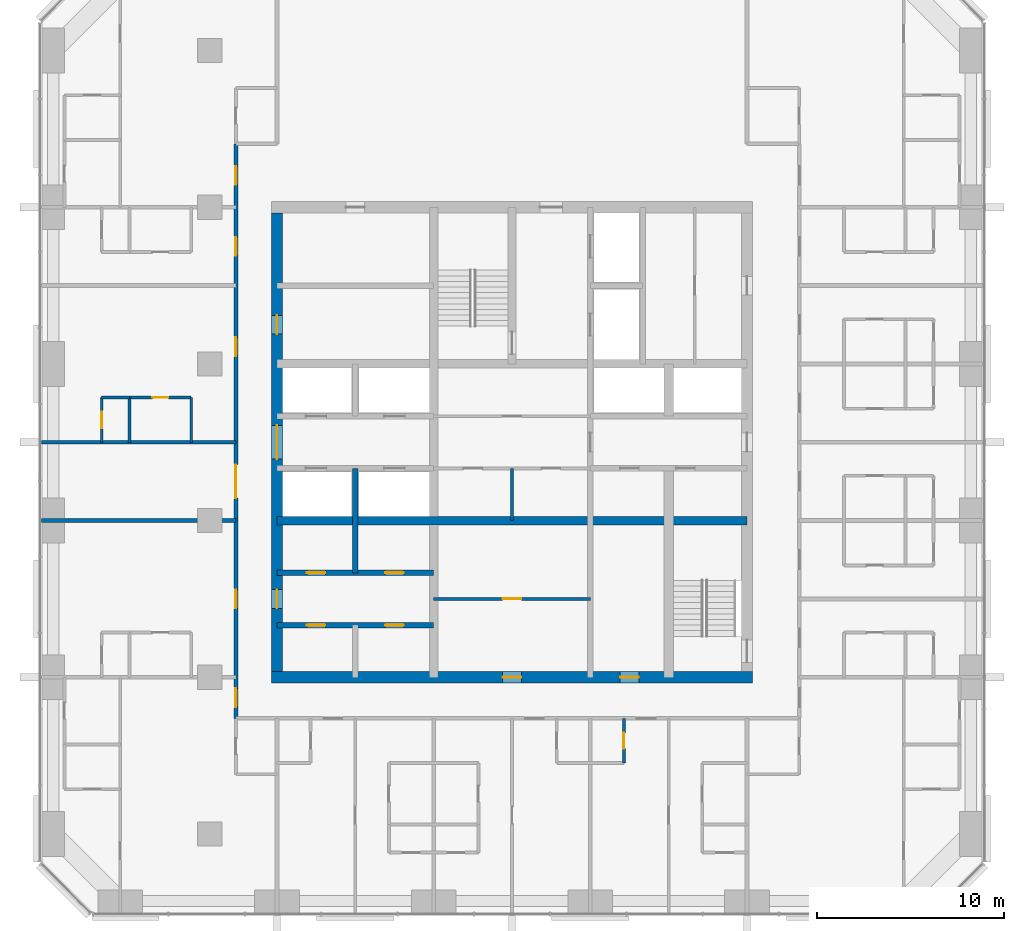
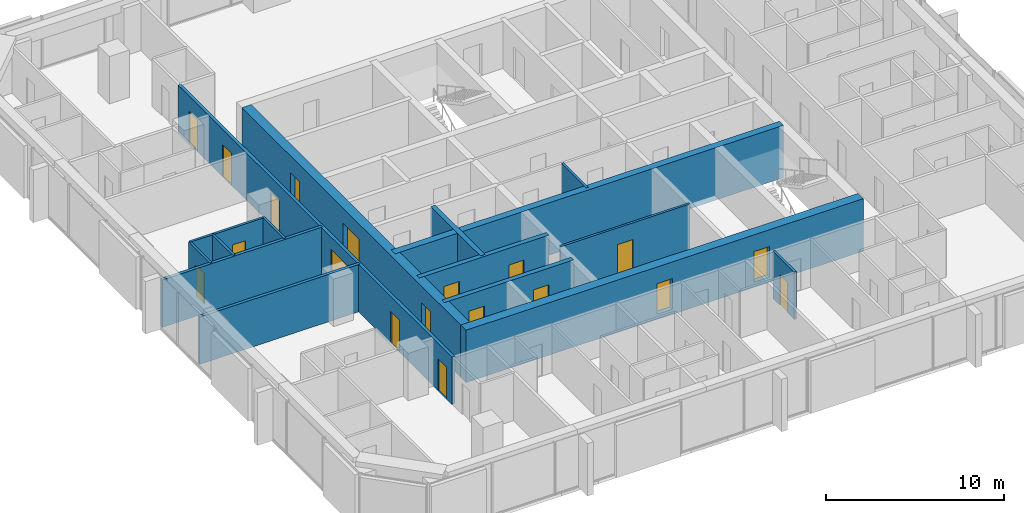
# One storey, part 9 of 14: 19 doors, 17 walls, 19 openings.
"""IFC4 building model written with IfcOpenShell, lengths in metres."""

from ifc_helpers import new_model, si_unit, direction, frame, frame_2d, origin, place, context, subcontext, project, spatial, rectangle, extrude, material, layer, layer_set, type_object, element, fill, save


model = new_model("IFC4")

# Units and contexts
model_context = context("Model", 3, precision=1e-05, world=origin(), true_north=direction((0.0, 1.0)))
body_context = subcontext(model_context, "Body", "Model", "MODEL_VIEW")
ifc_project = project(units=[si_unit("LENGTHUNIT", "METRE"), si_unit("AREAUNIT", "SQUARE_METRE"), si_unit("VOLUMEUNIT", "CUBIC_METRE"), si_unit("PLANEANGLEUNIT", "RADIAN"), si_unit("MASSUNIT", "GRAM", prefix="KILO")], contexts=[model_context])

# Site, building, storey
site_placement = place(None, origin())
site = spatial("IfcSite", under=ifc_project, at=site_placement, CompositionType="ELEMENT")
building_placement = place(site_placement, origin())
building = spatial("IfcBuilding", under=site, at=building_placement, Name="Dunama Terrace Hotel", CompositionType="ELEMENT")
storey_placement = place(building_placement, frame((0.0, 0.0, 184.199951171875)))
storey = spatial("IfcBuildingStorey", under=building, at=storey_placement, Name="L47", CompositionType="ELEMENT", Elevation=184.199951171875)

# Wall
ifc_material_1 = material(Name="Gypsum board partition", Category="masonry")
ifc_layer_1 = layer(ifc_material_1, 0.14990234375)
ifc_layer_set_1 = layer_set([ifc_layer_1], Name="Bathroom partition 150")
wall_type_1 = type_object("IfcWallType", Name="Bathroom partition 150", PredefinedType="PARTITIONING", material=ifc_layer_set_1)
wall_1_placement = place(storey_placement, frame((12.199951171875, 29.39990234375, 0.0), z_axis=(0.0, 0.0, 1.0), x_axis=(0.0, 1.0, 0.0)))
element("IfcWall", 1, at=wall_1_placement, inside=storey, type_object=wall_type_1, Name="Bathroom partition 150 L47", PredefinedType="PARTITIONING", context=body_context, shape_type="SweptSolid", body=[
    extrude(rectangle(XDim=2.400146484375, YDim=0.14990234375, at=frame_2d((1.2001953125, 0.0))), origin(), (0.0, 0.0, 1.0), 3.25),
])

# Wall, opening, door
wall_2_placement = place(storey_placement, frame((35.39990234375, 12.199951171875, 0.0), z_axis=(0.0, 0.0, 1.0), x_axis=(0.0, 1.0, 0.0)))
wall_2 = element("IfcWall", 2, at=wall_2_placement, inside=storey, type_object=wall_type_1, Name="Bathroom partition 150 L47", PredefinedType="PARTITIONING", context=body_context, shape_type="SweptSolid", body=[
    extrude(rectangle(XDim=2.400146484375, YDim=0.14990234375, at=frame_2d((1.2001953125, 0.0))), origin(), (0.0, 0.0, 1.0), 3.25),
])
opening_1_placement = place(wall_2_placement, frame((0.77490234375, 0.0, 0.0)))
opening_1 = element("IfcOpeningElement", 3, at=opening_1_placement, cuts=wall_2, Name="Opening L46-47-020", PredefinedType="OPENING", context=body_context, shape_type="SweptSolid", body=[
    extrude(rectangle(XDim=0.85009765625, YDim=2.10009765625, at=frame_2d((0.425048828125, 1.050048828125))), frame((0.0, 0.0849609375, 0.0), z_axis=(0.0, -1.0, 0.0), x_axis=(1.0, 0.0, 0.0)), (0.0, 0.0, 1.0), 0.169921875),
])
ifc_material_2 = material(Name="Timber door with steel frame", Category="steel")
door_type_1 = type_object("IfcDoorType", Name="Bathroom door 850", OperationType="SINGLE_SWING_LEFT", PredefinedType="DOOR", material=ifc_material_2)
door_1_placement = place(opening_1_placement, origin())
door_1 = element("IfcDoor", 4, at=door_1_placement, inside=storey, type_object=door_type_1, Name="Door to powder room L46-47-020, type D2", OperationType="SINGLE_SWING_RIGHT", OverallHeight=2.10009765625, OverallWidth=0.85009765625, PredefinedType="DOOR", context=body_context, shape_type="SweptSolid", body=[
    extrude(rectangle(XDim=0.85009765625, YDim=2.10009765625, at=frame_2d((0.425048828125, 1.050048828125))), frame((0.0, 0.02490234375, 0.0), z_axis=(0.0, -1.0, 0.0), x_axis=(1.0, 0.0, 0.0)), (0.0, 0.0, 1.0), 0.050048828125),
])
fill(opening_1, door_1)

wall_3_placement = place(storey_placement, frame((8.89990234375, 31.800048828125, 0.0), z_axis=(0.0, 0.0, 1.0), x_axis=(1.0, 0.0, 0.0)))
wall_3 = element("IfcWall", 5, at=wall_3_placement, inside=storey, type_object=wall_type_1, Name="Bathroom partition 150 L47", PredefinedType="PARTITIONING", context=body_context, shape_type="SweptSolid", body=[
    extrude(rectangle(XDim=3.300048828125, YDim=0.14990234375, at=frame_2d((1.64990234375, 0.0))), origin(), (0.0, 0.0, 1.0), 3.25),
])
opening_2_placement = place(wall_3_placement, frame((1.22509765625, 0.0, 0.0)))
opening_2 = element("IfcOpeningElement", 6, at=opening_2_placement, cuts=wall_3, Name="Opening L46-47-047", PredefinedType="OPENING", context=body_context, shape_type="SweptSolid", body=[
    extrude(rectangle(XDim=0.85009765625, YDim=2.10009765625, at=frame_2d((0.425048828125, 1.050048828125))), frame((0.0, 0.0849609375, 0.0), z_axis=(0.0, -1.0, 0.0), x_axis=(1.0, 0.0, 0.0)), (0.0, 0.0, 1.0), 0.169921875),
])
door_2_placement = place(opening_2_placement, frame((0.85009765625, 0.0, 0.0), z_axis=(0.0, 0.0, 1.0), x_axis=(-1.0, 0.0, 0.0)))
door_2 = element("IfcDoor", 7, at=door_2_placement, inside=storey, type_object=door_type_1, Name="Door to en-suite bathroom L46-47-047, type D2", OperationType="SINGLE_SWING_RIGHT", OverallHeight=2.10009765625, OverallWidth=0.85009765625, PredefinedType="DOOR", context=body_context, shape_type="SweptSolid", body=[
    extrude(rectangle(XDim=0.85009765625, YDim=2.10009765625, at=frame_2d((0.425048828125, 1.050048828125))), frame((0.0, 0.025146484375, 0.0), z_axis=(0.0, -1.0, 0.0), x_axis=(1.0, 0.0, 0.0)), (0.0, 0.0, 1.0), 0.050048828125),
])
fill(opening_2, door_2)

# Wall
ifc_material_3 = material(Name="Concrete C50/60", Category="concrete")
ifc_layer_2 = layer(ifc_material_3, 0.300048828125)
ifc_layer_set_2 = layer_set([ifc_layer_2], Name="Core inner wall 300")
wall_type_2 = type_object("IfcWallType", Name="Core inner wall 300", PredefinedType="SHEAR", material=ifc_layer_set_2)
wall_4_placement = place(storey_placement, frame((21.0, 22.39990234375, -0.349853515625), z_axis=(0.0, 0.0, 1.0), x_axis=(0.0, 1.0, 0.0)))
element("IfcWall", 8, at=wall_4_placement, inside=storey, type_object=wall_type_2, Name="Core inner wall 300 L47", PredefinedType="SHEAR", context=body_context, shape_type="SweptSolid", body=[
    extrude(rectangle(XDim=5.60009765625, YDim=0.300048828125, at=frame_2d((2.800048828125, 0.0))), origin(), (0.0, 0.0, 1.0), 3.599853515625),
])

# Wall, openings, doors
wall_5_placement = place(storey_placement, frame((16.800048828125, 19.60009765625, -0.349853515625), z_axis=(0.0, 0.0, 1.0), x_axis=(1.0, 0.0, 0.0)))
wall_5 = element("IfcWall", 9, at=wall_5_placement, inside=storey, type_object=wall_type_2, Name="Core inner wall 300 L47", PredefinedType="SHEAR", context=body_context, shape_type="SweptSolid", body=[
    extrude(rectangle(XDim=8.39990234375, YDim=0.300048828125, at=frame_2d((4.199951171875, 0.0))), origin(), (0.0, 0.0, 1.0), 3.599853515625),
])
opening_3_placement = place(wall_5_placement, frame((1.60009765625, 0.0, 0.35009765625)))
opening_3 = element("IfcOpeningElement", 10, at=opening_3_placement, cuts=wall_5, Name="Opening L46-47-073", PredefinedType="OPENING", context=body_context, shape_type="SweptSolid", body=[
    extrude(rectangle(XDim=1.0, YDim=2.10009765625, at=frame_2d((0.5, 1.050048828125))), frame((0.0, 0.159912109375, 0.0), z_axis=(0.0, -1.0, 0.0), x_axis=(1.0, 0.0, 0.0)), (0.0, 0.0, 1.0), 0.320068359375),
])
opening_4_placement = place(wall_5_placement, frame((5.800048828125, 0.0, 0.35009765625)))
opening_4 = element("IfcOpeningElement", 11, at=opening_4_placement, cuts=wall_5, Name="Opening L46-47-074", PredefinedType="OPENING", context=body_context, shape_type="SweptSolid", body=[
    extrude(rectangle(XDim=1.0, YDim=2.10009765625, at=frame_2d((0.5, 1.050048828125))), frame((0.0, 0.159912109375, 0.0), z_axis=(0.0, -1.0, 0.0), x_axis=(1.0, 0.0, 0.0)), (0.0, 0.0, 1.0), 0.320068359375),
])
ifc_material_4 = material(Name="Timber door with steel frame", Category="steel")
door_type_2 = type_object("IfcDoorType", Name="Service door 1000", OperationType="SINGLE_SWING_LEFT", PredefinedType="DOOR", material=ifc_material_4)
door_3_placement = place(opening_3_placement, frame((1.0, 0.0, 0.0), z_axis=(0.0, 0.0, 1.0), x_axis=(-1.0, 0.0, 0.0)))
door_3 = element("IfcDoor", 12, at=door_3_placement, inside=storey, type_object=door_type_2, Name="Door to service riser L46-47-073, type D7", OperationType="SINGLE_SWING_RIGHT", OverallHeight=2.10009765625, OverallWidth=1.0, PredefinedType="DOOR", context=body_context, shape_type="SweptSolid", body=[
    extrude(rectangle(XDim=1.0, YDim=2.10009765625, at=frame_2d((0.5, 1.050048828125))), frame((0.0, 0.025146484375, 0.0), z_axis=(0.0, -1.0, 0.0), x_axis=(1.0, 0.0, 0.0)), (0.0, 0.0, 1.0), 0.050048828125),
])
fill(opening_3, door_3)
door_4_placement = place(opening_4_placement, frame((1.0, 0.0, 0.0), z_axis=(0.0, 0.0, 1.0), x_axis=(-1.0, 0.0, 0.0)))
door_4 = element("IfcDoor", 13, at=door_4_placement, inside=storey, type_object=door_type_2, Name="Door to staff accessible wc L46-47-074, type D7", OperationType="SINGLE_SWING_LEFT", OverallHeight=2.10009765625, OverallWidth=1.0, PredefinedType="DOOR", context=body_context, shape_type="SweptSolid", body=[
    extrude(rectangle(XDim=1.0, YDim=2.10009765625, at=frame_2d((0.5, 1.050048828125))), frame((0.0, 0.025146484375, 0.0), z_axis=(0.0, -1.0, 0.0), x_axis=(1.0, 0.0, 0.0)), (0.0, 0.0, 1.0), 0.050048828125),
])
fill(opening_4, door_4)

wall_6_placement = place(storey_placement, frame((16.800048828125, 22.39990234375, -0.349853515625), z_axis=(0.0, 0.0, 1.0), x_axis=(1.0, 0.0, 0.0)))
wall_6 = element("IfcWall", 14, at=wall_6_placement, inside=storey, type_object=wall_type_2, Name="Core inner wall 300 L47", PredefinedType="SHEAR", context=body_context, shape_type="SweptSolid", body=[
    extrude(rectangle(XDim=8.39990234375, YDim=0.300048828125, at=frame_2d((4.199951171875, 0.0))), origin(), (0.0, 0.0, 1.0), 3.599853515625),
])
opening_5_placement = place(wall_6_placement, frame((1.60009765625, 0.0, 0.35009765625)))
opening_5 = element("IfcOpeningElement", 15, at=opening_5_placement, cuts=wall_6, Name="Opening L46-47-075", PredefinedType="OPENING", context=body_context, shape_type="SweptSolid", body=[
    extrude(rectangle(XDim=1.0, YDim=2.10009765625, at=frame_2d((0.5, 1.050048828125))), frame((0.0, 0.159912109375, 0.0), z_axis=(0.0, -1.0, 0.0), x_axis=(1.0, 0.0, 0.0)), (0.0, 0.0, 1.0), 0.320068359375),
])
opening_6_placement = place(wall_6_placement, frame((5.800048828125, 0.0, 0.35009765625)))
opening_6 = element("IfcOpeningElement", 16, at=opening_6_placement, cuts=wall_6, Name="Opening L46-47-076", PredefinedType="OPENING", context=body_context, shape_type="SweptSolid", body=[
    extrude(rectangle(XDim=1.0, YDim=2.10009765625, at=frame_2d((0.5, 1.050048828125))), frame((0.0, 0.159912109375, 0.0), z_axis=(0.0, -1.0, 0.0), x_axis=(1.0, 0.0, 0.0)), (0.0, 0.0, 1.0), 0.320068359375),
])
door_5_placement = place(opening_5_placement, origin())
door_5 = element("IfcDoor", 17, at=door_5_placement, inside=storey, type_object=door_type_2, Name="Door to room service pantry L46-47-075, type D7", OperationType="SINGLE_SWING_LEFT", OverallHeight=2.10009765625, OverallWidth=1.0, PredefinedType="DOOR", context=body_context, shape_type="SweptSolid", body=[
    extrude(rectangle(XDim=1.0, YDim=2.10009765625, at=frame_2d((0.5, 1.050048828125))), frame((0.0, 0.02490234375, 0.0), z_axis=(0.0, -1.0, 0.0), x_axis=(1.0, 0.0, 0.0)), (0.0, 0.0, 1.0), 0.050048828125),
])
fill(opening_5, door_5)
door_6_placement = place(opening_6_placement, origin())
door_6 = element("IfcDoor", 18, at=door_6_placement, inside=storey, type_object=door_type_2, Name="Door to linen store L46-47-076, type D7", OperationType="SINGLE_SWING_RIGHT", OverallHeight=2.10009765625, OverallWidth=1.0, PredefinedType="DOOR", context=body_context, shape_type="SweptSolid", body=[
    extrude(rectangle(XDim=1.0, YDim=2.10009765625, at=frame_2d((0.5, 1.050048828125))), frame((0.0, 0.02490234375, 0.0), z_axis=(0.0, -1.0, 0.0), x_axis=(1.0, 0.0, 0.0)), (0.0, 0.0, 1.0), 0.050048828125),
])
fill(opening_6, door_6)

# Wall
ifc_material_5 = material(Name="Concrete C50/60", Category="concrete")
ifc_layer_3 = layer(ifc_material_5, 0.449951171875)
ifc_layer_set_3 = layer_set([ifc_layer_3], Name="Core inner wall 450")
wall_type_3 = type_object("IfcWallType", Name="Core inner wall 450", PredefinedType="SHEAR", material=ifc_layer_set_3)
wall_7_placement = place(storey_placement, frame((16.800048828125, 25.199951171875, -0.349853515625), z_axis=(0.0, 0.0, 1.0), x_axis=(1.0, 0.0, 0.0)))
element("IfcWall", 19, at=wall_7_placement, inside=storey, type_object=wall_type_3, Name="Core inner wall 450 L47", PredefinedType="SHEAR", context=body_context, shape_type="SweptSolid", body=[
    extrude(rectangle(XDim=25.199951171875, YDim=0.449951171875, at=frame_2d((12.60009765625, 0.0))), origin(), (0.0, 0.0, 1.0), 3.599853515625),
])

# Wall, openings, doors
ifc_material_6 = material(Name="Concrete C50/60", Category="concrete")
ifc_layer_4 = layer(ifc_material_6, 0.60009765625)
ifc_layer_set_4 = layer_set([ifc_layer_4], Name="Core wall 600")
wall_type_4 = type_object("IfcWallType", Name="Core wall 600", PredefinedType="SHEAR", material=ifc_layer_set_4)
wall_8_placement = place(storey_placement, frame((16.5, 16.800048828125, -0.349853515625), z_axis=(0.0, 0.0, 1.0), x_axis=(1.0, 0.0, 0.0)))
wall_8 = element("IfcWall", 20, at=wall_8_placement, inside=storey, type_object=wall_type_4, Name="Core wall south L47", PredefinedType="SHEAR", context=body_context, shape_type="SweptSolid", body=[
    extrude(rectangle(XDim=25.800048828125, YDim=0.60009765625, at=frame_2d((12.89990234375, 0.0))), origin(), (0.0, 0.0, 1.0), 3.599853515625),
])
opening_7_placement = place(wall_8_placement, frame((12.39990234375, 0.0, 0.35009765625)))
opening_7 = element("IfcOpeningElement", 21, at=opening_7_placement, cuts=wall_8, Name="Opening L46-47-090", PredefinedType="OPENING", context=body_context, shape_type="SweptSolid", body=[
    extrude(rectangle(XDim=1.0, YDim=2.10009765625, at=frame_2d((0.5, 1.050048828125))), frame((0.0, 0.31005859375, 0.0), z_axis=(0.0, -1.0, 0.0), x_axis=(1.0, 0.0, 0.0)), (0.0, 0.0, 1.0), 0.6201171875),
])
opening_8_placement = place(wall_8_placement, frame((18.699951171875, 0.0, 0.35009765625)))
opening_8 = element("IfcOpeningElement", 22, at=opening_8_placement, cuts=wall_8, Name="Opening L46-47-092", PredefinedType="OPENING", context=body_context, shape_type="SweptSolid", body=[
    extrude(rectangle(XDim=1.0, YDim=2.10009765625, at=frame_2d((0.5, 1.050048828125))), frame((0.0, 0.31005859375, 0.0), z_axis=(0.0, -1.0, 0.0), x_axis=(1.0, 0.0, 0.0)), (0.0, 0.0, 1.0), 0.6201171875),
])
door_7_placement = place(opening_7_placement, origin())
door_7 = element("IfcDoor", 23, at=door_7_placement, inside=storey, type_object=door_type_2, Name="Door to corridor air handling room L46-47-090, type D7", OperationType="SINGLE_SWING_LEFT", OverallHeight=2.10009765625, OverallWidth=1.0, PredefinedType="DOOR", context=body_context, shape_type="SweptSolid", body=[
    extrude(rectangle(XDim=1.0, YDim=2.10009765625, at=frame_2d((0.5, 1.050048828125))), frame((0.0, 0.02490234375, 0.0), z_axis=(0.0, -1.0, 0.0), x_axis=(1.0, 0.0, 0.0)), (0.0, 0.0, 1.0), 0.050048828125),
])
fill(opening_7, door_7)
door_8_placement = place(opening_8_placement, origin())
door_8 = element("IfcDoor", 24, at=door_8_placement, inside=storey, type_object=door_type_2, Name="Door to water riser room L46-47-092, type D7", OperationType="SINGLE_SWING_RIGHT", OverallHeight=2.10009765625, OverallWidth=1.0, PredefinedType="DOOR", context=body_context, shape_type="SweptSolid", body=[
    extrude(rectangle(XDim=1.0, YDim=2.10009765625, at=frame_2d((0.5, 1.050048828125))), frame((0.0, 0.02490234375, 0.0), z_axis=(0.0, -1.0, 0.0), x_axis=(1.0, 0.0, 0.0)), (0.0, 0.0, 1.0), 0.050048828125),
])
fill(opening_8, door_8)

wall_9_placement = place(storey_placement, frame((16.800048828125, 41.699951171875, -0.349853515625), z_axis=(0.0, 0.0, 1.0), x_axis=(0.0, -1.0, 0.0)))
wall_9 = element("IfcWall", 25, at=wall_9_placement, inside=storey, type_object=wall_type_4, Name="Core wall west L47", PredefinedType="SHEAR", context=body_context, shape_type="SweptSolid", body=[
    extrude(rectangle(XDim=24.599853515625, YDim=0.60009765625, at=frame_2d((12.2998046875, 0.0))), origin(), (0.0, 0.0, 1.0), 3.599853515625),
])
opening_9_placement = place(wall_9_placement, frame((11.39990234375, 0.0, 0.35009765625)))
opening_9 = element("IfcOpeningElement", 26, at=opening_9_placement, cuts=wall_9, Name="Opening L46-47-072", PredefinedType="OPENING", context=body_context, shape_type="SweptSolid", body=[
    extrude(rectangle(XDim=1.800048828125, YDim=2.199951171875, at=frame_2d((0.89990234375, 1.10009765625))), frame((0.0, 0.31005859375, 0.0), z_axis=(0.0, -1.0, 0.0), x_axis=(1.0, 0.0, 0.0)), (0.0, 0.0, 1.0), 0.6201171875),
])
opening_10_placement = place(wall_9_placement, frame((20.199951171875, 0.0, 0.35009765625)))
opening_10 = element("IfcOpeningElement", 27, at=opening_10_placement, cuts=wall_9, Name="Opening L46-47-077", PredefinedType="OPENING", context=body_context, shape_type="SweptSolid", body=[
    extrude(rectangle(XDim=1.0, YDim=2.10009765625, at=frame_2d((0.5, 1.050048828125))), frame((0.0, 0.31005859375, 0.0), z_axis=(0.0, -1.0, 0.0), x_axis=(1.0, 0.0, 0.0)), (0.0, 0.0, 1.0), 0.6201171875),
])
opening_11_placement = place(wall_9_placement, frame((5.5, 0.0, 0.35009765625)))
opening_11 = element("IfcOpeningElement", 28, at=opening_11_placement, cuts=wall_9, Name="Opening L46-47-078", PredefinedType="OPENING", context=body_context, shape_type="SweptSolid", body=[
    extrude(rectangle(XDim=1.0, YDim=2.10009765625, at=frame_2d((0.5, 1.050048828125))), frame((0.0, 0.31005859375, 0.0), z_axis=(0.0, -1.0, 0.0), x_axis=(1.0, 0.0, 0.0)), (0.0, 0.0, 1.0), 0.6201171875),
])
ifc_material_7 = material(Name="Timber door with steel frame", Category="steel")
door_type_3 = type_object("IfcDoorType", Name="Lift lobby double door 1800", OperationType="DOUBLE_DOOR_DOUBLE_SWING", PredefinedType="DOOR", material=ifc_material_7)
door_9_placement = place(opening_9_placement, origin())
door_9 = element("IfcDoor", 29, at=door_9_placement, inside=storey, type_object=door_type_3, Name="Door to lift lobby L46-47-072, type D3", OperationType="DOUBLE_DOOR_DOUBLE_SWING", OverallHeight=2.199951171875, OverallWidth=1.800048828125, PredefinedType="DOOR", context=body_context, shape_type="SweptSolid", body=[
    extrude(rectangle(XDim=1.800048828125, YDim=2.199951171875, at=frame_2d((0.89990234375, 1.10009765625))), frame((0.0, 0.02490234375, 0.0), z_axis=(0.0, -1.0, 0.0), x_axis=(1.0, 0.0, 0.0)), (0.0, 0.0, 1.0), 0.050048828125),
])
fill(opening_9, door_9)
door_10_placement = place(opening_10_placement, origin())
door_10 = element("IfcDoor", 30, at=door_10_placement, inside=storey, type_object=door_type_2, Name="Door to back-of-house lobby L46-47-077, type D7", OperationType="SINGLE_SWING_LEFT", OverallHeight=2.10009765625, OverallWidth=1.0, PredefinedType="DOOR", context=body_context, shape_type="SweptSolid", body=[
    extrude(rectangle(XDim=1.0, YDim=2.10009765625, at=frame_2d((0.5, 1.050048828125))), frame((0.0, 0.02490234375, 0.0), z_axis=(0.0, -1.0, 0.0), x_axis=(1.0, 0.0, 0.0)), (0.0, 0.0, 1.0), 0.050048828125),
])
fill(opening_10, door_10)
door_11_placement = place(opening_11_placement, origin())
door_11 = element("IfcDoor", 31, at=door_11_placement, inside=storey, type_object=door_type_2, Name="Door to electrical room L46-47-078, type D7", OperationType="SINGLE_SWING_RIGHT", OverallHeight=2.10009765625, OverallWidth=1.0, PredefinedType="DOOR", context=body_context, shape_type="SweptSolid", body=[
    extrude(rectangle(XDim=1.0, YDim=2.10009765625, at=frame_2d((0.5, 1.050048828125))), frame((0.0, 0.02490234375, 0.0), z_axis=(0.0, -1.0, 0.0), x_axis=(1.0, 0.0, 0.0)), (0.0, 0.0, 1.0), 0.050048828125),
])
fill(opening_11, door_11)

ifc_material_8 = material(Name="Concrete blockwork", Category="masonry")
ifc_layer_5 = layer(ifc_material_8, 0.199951171875)
ifc_layer_set_5 = layer_set([ifc_layer_5], Name="Corridor partition 200")
wall_type_5 = type_object("IfcWallType", Name="Corridor partition 200", PredefinedType="PARTITIONING", material=ifc_layer_set_5)
wall_10_placement = place(storey_placement, frame((14.60009765625, 14.60009765625, 0.0), z_axis=(0.0, 0.0, 1.0), x_axis=(0.0, 1.0, 0.0)))
wall_10 = element("IfcWall", 32, at=wall_10_placement, inside=storey, type_object=wall_type_5, Name="Corridor partition 200 L47", PredefinedType="PARTITIONING", context=body_context, shape_type="SweptSolid", body=[
    extrude(rectangle(XDim=30.7998046875, YDim=0.199951171875, at=frame_2d((15.39990234375, 0.0))), origin(), (0.0, 0.0, 1.0), 3.25),
])
opening_12_placement = place(wall_10_placement, frame((5.89990234375, 0.0, 0.0)))
opening_12 = element("IfcOpeningElement", 33, at=opening_12_placement, cuts=wall_10, Name="Opening L46-47-042", PredefinedType="OPENING", context=body_context, shape_type="SweptSolid", body=[
    extrude(rectangle(XDim=1.0, YDim=2.199951171875, at=frame_2d((0.5, 1.10009765625))), frame((0.0, 0.10986328125, 0.0), z_axis=(0.0, -1.0, 0.0), x_axis=(1.0, 0.0, 0.0)), (0.0, 0.0, 1.0), 0.219970703125),
])
opening_13_placement = place(wall_10_placement, frame((11.800048828125, 0.0, 0.0)))
opening_13 = element("IfcOpeningElement", 34, at=opening_13_placement, cuts=wall_10, Name="Opening L46-47-045", PredefinedType="OPENING", context=body_context, shape_type="SweptSolid", body=[
    extrude(rectangle(XDim=1.800048828125, YDim=2.39990234375, at=frame_2d((0.89990234375, 1.199951171875))), frame((0.0, 0.10986328125, 0.0), z_axis=(0.0, -1.0, 0.0), x_axis=(1.0, 0.0, 0.0)), (0.0, 0.0, 1.0), 0.219970703125),
])
opening_14_placement = place(wall_10_placement, frame((19.425048828125, 0.0, 0.0)))
opening_14 = element("IfcOpeningElement", 35, at=opening_14_placement, cuts=wall_10, Name="Opening L46-47-046", PredefinedType="OPENING", context=body_context, shape_type="SweptSolid", body=[
    extrude(rectangle(XDim=1.0, YDim=2.199951171875, at=frame_2d((0.5, 1.10009765625))), frame((0.0, 0.10986328125, 0.0), z_axis=(0.0, -1.0, 0.0), x_axis=(1.0, 0.0, 0.0)), (0.0, 0.0, 1.0), 0.219970703125),
])
opening_15_placement = place(wall_10_placement, frame((24.800048828125, 0.0, 0.0)))
opening_15 = element("IfcOpeningElement", 36, at=opening_15_placement, cuts=wall_10, Name="Opening L46-47-049", PredefinedType="OPENING", context=body_context, shape_type="SweptSolid", body=[
    extrude(rectangle(XDim=1.0, YDim=2.199951171875, at=frame_2d((0.5, 1.10009765625))), frame((0.0, 0.10986328125, 0.0), z_axis=(0.0, -1.0, 0.0), x_axis=(1.0, 0.0, 0.0)), (0.0, 0.0, 1.0), 0.219970703125),
])
opening_16_placement = place(wall_10_placement, frame((0.60009765625, 0.0, 0.0)))
opening_16 = element("IfcOpeningElement", 37, at=opening_16_placement, cuts=wall_10, Name="Opening L46-47-052", PredefinedType="OPENING", context=body_context, shape_type="SweptSolid", body=[
    extrude(rectangle(XDim=1.0, YDim=2.199951171875, at=frame_2d((0.5, 1.10009765625))), frame((0.0, 0.10986328125, 0.0), z_axis=(0.0, -1.0, 0.0), x_axis=(1.0, 0.0, 0.0)), (0.0, 0.0, 1.0), 0.219970703125),
])
opening_17_placement = place(wall_10_placement, frame((28.60009765625, 0.0, 0.0)))
opening_17 = element("IfcOpeningElement", 38, at=opening_17_placement, cuts=wall_10, Name="Opening L46-47-067", PredefinedType="OPENING", context=body_context, shape_type="SweptSolid", body=[
    extrude(rectangle(XDim=1.0, YDim=2.199951171875, at=frame_2d((0.5, 1.10009765625))), frame((0.0, 0.10986328125, 0.0), z_axis=(0.0, -1.0, 0.0), x_axis=(1.0, 0.0, 0.0)), (0.0, 0.0, 1.0), 0.219970703125),
])
ifc_material_9 = material(Name="Aluminium-framed glazed door", Category="aluminium")
door_type_4 = type_object("IfcDoorType", Name="Glazed double door 1800", OperationType="DOUBLE_DOOR_DOUBLE_SWING", PredefinedType="DOOR", material=ifc_material_9)
door_12_placement = place(opening_13_placement, origin())
door_12 = element("IfcDoor", 39, at=door_12_placement, inside=storey, type_object=door_type_4, Name="Door to business centre L46-47-045, type D8", OperationType="DOUBLE_DOOR_DOUBLE_SWING", OverallHeight=2.39990234375, OverallWidth=1.800048828125, PredefinedType="DOOR", context=body_context, shape_type="SweptSolid", body=[
    extrude(rectangle(XDim=1.800048828125, YDim=2.39990234375, at=frame_2d((0.89990234375, 1.199951171875))), frame((0.0, 0.02490234375, 0.0), z_axis=(0.0, -1.0, 0.0), x_axis=(1.0, 0.0, 0.0)), (0.0, 0.0, 1.0), 0.050048828125),
])
fill(opening_13, door_12)
ifc_material_10 = material(Name="Timber door with steel frame", Category="steel")
door_type_5 = type_object("IfcDoorType", Name="Guest room door 1000", OperationType="SINGLE_SWING_LEFT", PredefinedType="DOOR", material=ifc_material_10)
door_13_placement = place(opening_12_placement, origin())
door_13 = element("IfcDoor", 40, at=door_13_placement, inside=storey, type_object=door_type_5, Name="Door to junior suite L46-47-042, type D1", OperationType="SINGLE_SWING_LEFT", OverallHeight=2.199951171875, OverallWidth=1.0, PredefinedType="DOOR", context=body_context, shape_type="SweptSolid", body=[
    extrude(rectangle(XDim=1.0, YDim=2.199951171875, at=frame_2d((0.5, 1.10009765625))), frame((0.0, 0.02490234375, 0.0), z_axis=(0.0, -1.0, 0.0), x_axis=(1.0, 0.0, 0.0)), (0.0, 0.0, 1.0), 0.050048828125),
])
fill(opening_12, door_13)
door_14_placement = place(opening_14_placement, origin())
door_14 = element("IfcDoor", 41, at=door_14_placement, inside=storey, type_object=door_type_5, Name="Door to junior suite L46-47-046, type D1", OperationType="SINGLE_SWING_RIGHT", OverallHeight=2.199951171875, OverallWidth=1.0, PredefinedType="DOOR", context=body_context, shape_type="SweptSolid", body=[
    extrude(rectangle(XDim=1.0, YDim=2.199951171875, at=frame_2d((0.5, 1.10009765625))), frame((0.0, 0.02490234375, 0.0), z_axis=(0.0, -1.0, 0.0), x_axis=(1.0, 0.0, 0.0)), (0.0, 0.0, 1.0), 0.050048828125),
])
fill(opening_14, door_14)
door_15_placement = place(opening_15_placement, origin())
door_15 = element("IfcDoor", 42, at=door_15_placement, inside=storey, type_object=door_type_5, Name="Door to club room L46-47-049, type D1", OperationType="SINGLE_SWING_RIGHT", OverallHeight=2.199951171875, OverallWidth=1.0, PredefinedType="DOOR", context=body_context, shape_type="SweptSolid", body=[
    extrude(rectangle(XDim=1.0, YDim=2.199951171875, at=frame_2d((0.5, 1.10009765625))), frame((0.0, 0.02490234375, 0.0), z_axis=(0.0, -1.0, 0.0), x_axis=(1.0, 0.0, 0.0)), (0.0, 0.0, 1.0), 0.050048828125),
])
fill(opening_15, door_15)
door_16_placement = place(opening_16_placement, origin())
door_16 = element("IfcDoor", 43, at=door_16_placement, inside=storey, type_object=door_type_5, Name="Door to corner suite living room L46-47-052, type D1", OperationType="SINGLE_SWING_LEFT", OverallHeight=2.199951171875, OverallWidth=1.0, PredefinedType="DOOR", context=body_context, shape_type="SweptSolid", body=[
    extrude(rectangle(XDim=1.0, YDim=2.199951171875, at=frame_2d((0.5, 1.10009765625))), frame((0.0, 0.02490234375, 0.0), z_axis=(0.0, -1.0, 0.0), x_axis=(1.0, 0.0, 0.0)), (0.0, 0.0, 1.0), 0.050048828125),
])
fill(opening_16, door_16)
door_17_placement = place(opening_17_placement, origin())
door_17 = element("IfcDoor", 44, at=door_17_placement, inside=storey, type_object=door_type_5, Name="Door to corner suite living room L46-47-067, type D1", OperationType="SINGLE_SWING_LEFT", OverallHeight=2.199951171875, OverallWidth=1.0, PredefinedType="DOOR", context=body_context, shape_type="SweptSolid", body=[
    extrude(rectangle(XDim=1.0, YDim=2.199951171875, at=frame_2d((0.5, 1.10009765625))), frame((0.0, 0.02490234375, 0.0), z_axis=(0.0, -1.0, 0.0), x_axis=(1.0, 0.0, 0.0)), (0.0, 0.0, 1.0), 0.050048828125),
])
fill(opening_17, door_17)

# Walls
ifc_material_11 = material(Name="Concrete blockwork", Category="masonry")
ifc_layer_6 = layer(ifc_material_11, 0.199951171875)
ifc_layer_set_6 = layer_set([ifc_layer_6], Name="Party wall 200")
wall_type_6 = type_object("IfcWallType", Name="Party wall 200", PredefinedType="PARTITIONING", material=ifc_layer_set_6)
for number, where, z_axis, x_axis, name in (
    (45, (4.181884765625, 25.199951171875, 0.0), (0.0, 0.0, 1.0), (1.0, 0.0, 0.0), "Party wall 200 L47"),
    (46, (4.181884765625, 29.39990234375, 0.0), (0.0, 0.0, 1.0), (1.0, 0.0, 0.0), "Party wall 200 L47"),
):
    element("IfcWall", number, at=place(storey_placement, frame(where, z_axis=z_axis, x_axis=x_axis)), inside=storey, type_object=wall_type_6, Name=name, PredefinedType="PARTITIONING", context=body_context, shape_type="SweptSolid", body=[
        extrude(rectangle(XDim=10.418212890625, YDim=0.199951171875, at=frame_2d((5.208984375, 0.0))), origin(), (0.0, 0.0, 1.0), 3.25),
    ])

# Wall, opening, door
ifc_material_12 = material(Name="Gypsum board partition", Category="masonry")
ifc_layer_7 = layer(ifc_material_12, 0.14990234375)
ifc_layer_set_7 = layer_set([ifc_layer_7], Name="Room partition 150")
wall_type_7 = type_object("IfcWallType", Name="Room partition 150", PredefinedType="PARTITIONING", material=ifc_layer_set_7)
wall_11_placement = place(storey_placement, frame((7.39990234375, 29.39990234375, 0.0), z_axis=(0.0, 0.0, 1.0), x_axis=(0.0, 1.0, 0.0)))
wall_11 = element("IfcWall", 47, at=wall_11_placement, inside=storey, type_object=wall_type_7, Name="Room partition 150 L47", PredefinedType="PARTITIONING", context=body_context, shape_type="SweptSolid", body=[
    extrude(rectangle(XDim=2.400146484375, YDim=0.14990234375, at=frame_2d((1.2001953125, 0.0))), origin(), (0.0, 0.0, 1.0), 3.25),
])
opening_18_placement = place(wall_11_placement, frame((0.75, 0.0, 0.0)))
opening_18 = element("IfcOpeningElement", 48, at=opening_18_placement, cuts=wall_11, Name="Opening L46-47-048", PredefinedType="OPENING", context=body_context, shape_type="SweptSolid", body=[
    extrude(rectangle(XDim=0.89990234375, YDim=2.10009765625, at=frame_2d((0.449951171875, 1.050048828125))), frame((0.0, 0.0849609375, 0.0), z_axis=(0.0, -1.0, 0.0), x_axis=(1.0, 0.0, 0.0)), (0.0, 0.0, 1.0), 0.169921875),
])
ifc_material_13 = material(Name="Timber door with steel frame", Category="steel")
door_type_6 = type_object("IfcDoorType", Name="Suite internal door 900", OperationType="SINGLE_SWING_LEFT", PredefinedType="DOOR", material=ifc_material_13)
door_18_placement = place(opening_18_placement, frame((0.89990234375, 0.0, 0.0), z_axis=(0.0, 0.0, 1.0), x_axis=(-1.0, 0.0, 0.0)))
door_18 = element("IfcDoor", 49, at=door_18_placement, inside=storey, type_object=door_type_6, Name="Door to walk-in wardrobe L46-47-048, type D16", OperationType="SINGLE_SWING_RIGHT", OverallHeight=2.10009765625, OverallWidth=0.89990234375, PredefinedType="DOOR", context=body_context, shape_type="SweptSolid", body=[
    extrude(rectangle(XDim=0.89990234375, YDim=2.10009765625, at=frame_2d((0.449951171875, 1.050048828125))), frame((0.0, 0.025146484375, 0.0), z_axis=(0.0, -1.0, 0.0), x_axis=(1.0, 0.0, 0.0)), (0.0, 0.0, 1.0), 0.050048828125),
])
fill(opening_18, door_18)

# Walls
wall_12_placement = place(storey_placement, frame((8.89990234375, 29.39990234375, 0.0), z_axis=(0.0, 0.0, 1.0), x_axis=(0.0, 1.0, 0.0)))
element("IfcWall", 50, at=wall_12_placement, inside=storey, type_object=wall_type_7, Name="Room partition 150 L47", PredefinedType="PARTITIONING", context=body_context, shape_type="SweptSolid", body=[
    extrude(rectangle(XDim=2.400146484375, YDim=0.14990234375, at=frame_2d((1.2001953125, 0.0))), origin(), (0.0, 0.0, 1.0), 3.25),
])
wall_13_placement = place(storey_placement, frame((29.39990234375, 25.199951171875, 0.0), z_axis=(0.0, 0.0, 1.0), x_axis=(0.0, 1.0, 0.0)))
element("IfcWall", 51, at=wall_13_placement, inside=storey, type_object=wall_type_7, Name="Room partition 150 L47", PredefinedType="PARTITIONING", context=body_context, shape_type="SweptSolid", body=[
    extrude(rectangle(XDim=2.800048828125, YDim=0.14990234375, at=frame_2d((1.39990234375, 0.0))), origin(), (0.0, 0.0, 1.0), 3.25),
])

# Wall, opening, door
wall_14_placement = place(storey_placement, frame((25.199951171875, 21.0, 0.0), z_axis=(0.0, 0.0, 1.0), x_axis=(1.0, 0.0, 0.0)))
wall_14 = element("IfcWall", 52, at=wall_14_placement, inside=storey, type_object=wall_type_7, Name="Room partition 150 L47", PredefinedType="PARTITIONING", context=body_context, shape_type="SweptSolid", body=[
    extrude(rectangle(XDim=8.400146484375, YDim=0.14990234375, at=frame_2d((4.2001953125, 0.0))), origin(), (0.0, 0.0, 1.0), 3.25),
])
opening_19_placement = place(wall_14_placement, frame((3.699951171875, 0.0, 0.0)))
opening_19 = element("IfcOpeningElement", 53, at=opening_19_placement, cuts=wall_14, Name="Opening L46-47-091", PredefinedType="OPENING", context=body_context, shape_type="SweptSolid", body=[
    extrude(rectangle(XDim=1.0, YDim=2.10009765625, at=frame_2d((0.5, 1.050048828125))), frame((0.0, 0.0849609375, 0.0), z_axis=(0.0, -1.0, 0.0), x_axis=(1.0, 0.0, 0.0)), (0.0, 0.0, 1.0), 0.169921875),
])
door_19_placement = place(opening_19_placement, origin())
door_19 = element("IfcDoor", 54, at=door_19_placement, inside=storey, type_object=door_type_2, Name="Door to stair pressurisation fan room L46-47-091, type D7", OperationType="SINGLE_SWING_LEFT", OverallHeight=2.10009765625, OverallWidth=1.0, PredefinedType="DOOR", context=body_context, shape_type="SweptSolid", body=[
    extrude(rectangle(XDim=1.0, YDim=2.10009765625, at=frame_2d((0.5, 1.050048828125))), frame((0.0, 0.02490234375, 0.0), z_axis=(0.0, -1.0, 0.0), x_axis=(1.0, 0.0, 0.0)), (0.0, 0.0, 1.0), 0.050048828125),
])
fill(opening_19, door_19)

# Wall
wall_15_placement = place(storey_placement, frame((7.39990234375, 31.800048828125, 0.0), z_axis=(0.0, 0.0, 1.0), x_axis=(1.0, 0.0, 0.0)))
element("IfcWall", 55, at=wall_15_placement, inside=storey, type_object=wall_type_7, Name="Room partition 150 L47", PredefinedType="PARTITIONING", context=body_context, shape_type="SweptSolid", body=[
    extrude(rectangle(XDim=1.5, YDim=0.14990234375, at=frame_2d((0.75, 0.0))), origin(), (0.0, 0.0, 1.0), 3.25),
])

save(model, "model.ifc")
